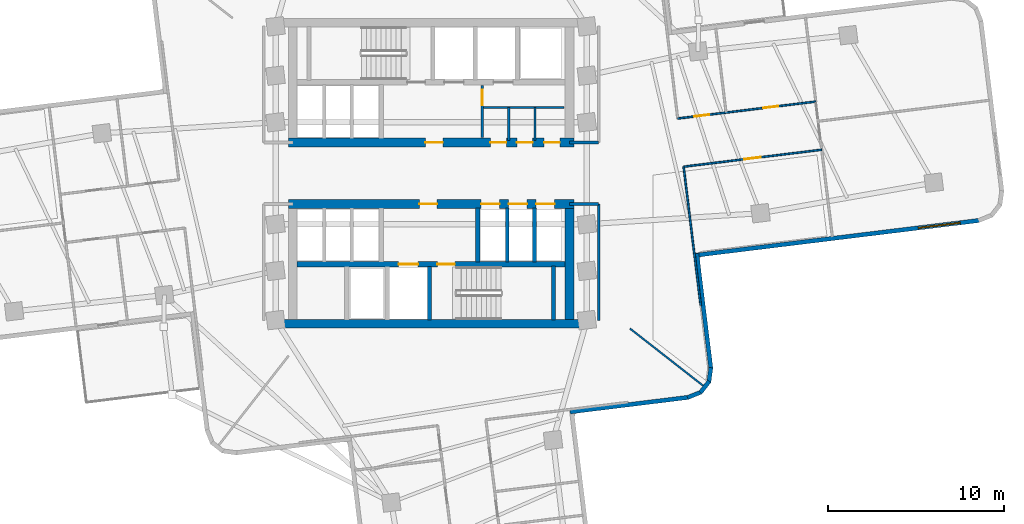
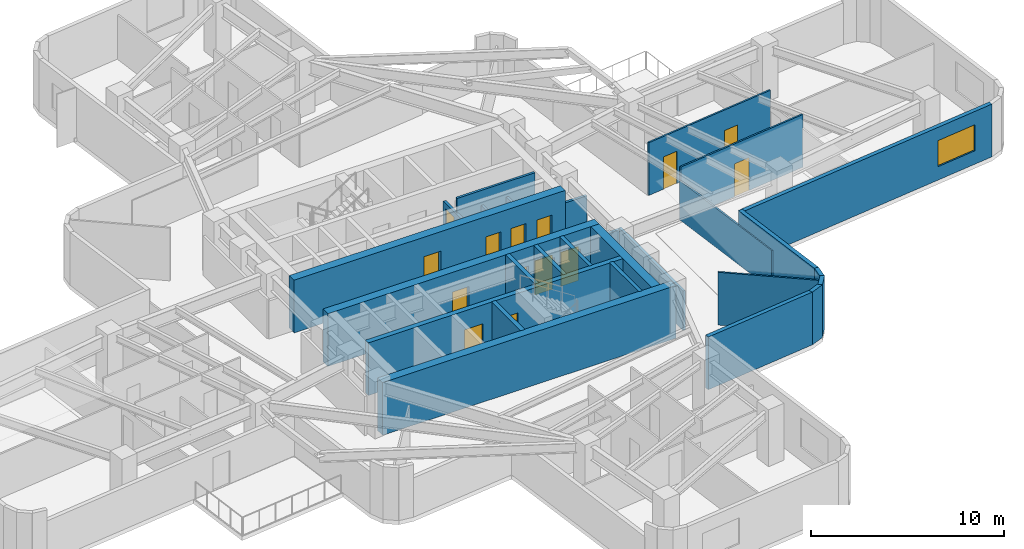
# One storey, part 4 of 9: 27 walls, 14 doors, 1 window, 15 openings.
"""IFC4 building model written with IfcOpenShell, lengths in metres."""

from ifc_helpers import new_model, si_unit, direction, frame, frame_2d, origin, place, context, subcontext, project, spatial, rectangle, extrude, material, layer, layer_set, type_object, element, fill, save


model = new_model("IFC4")

# Units and contexts
model_context = context("Model", 3, precision=1e-05, world=origin(), true_north=direction((0.0, 1.0)))
body_context = subcontext(model_context, "Body", "Model", "MODEL_VIEW")
ifc_project = project(units=[si_unit("LENGTHUNIT", "METRE"), si_unit("AREAUNIT", "SQUARE_METRE"), si_unit("VOLUMEUNIT", "CUBIC_METRE"), si_unit("PLANEANGLEUNIT", "RADIAN"), si_unit("MASSUNIT", "GRAM", prefix="KILO")], contexts=[model_context])

# Site, building, storey
site_placement = place(None, origin())
site = spatial("IfcSite", under=ifc_project, at=site_placement, CompositionType="ELEMENT")
building_placement = place(site_placement, origin())
building = spatial("IfcBuilding", under=site, at=building_placement, Name="Solmarez Civic Tower", CompositionType="ELEMENT")
storey_placement = place(building_placement, frame((0.0, 0.0, 78.47998046875)))
storey = spatial("IfcBuildingStorey", under=building, at=storey_placement, Name="L20", CompositionType="ELEMENT", Elevation=78.47998046875)

# Wall, openings, doors
ifc_material_1 = material(Name="Concrete C60/75", Category="concrete")
ifc_layer_1 = layer(ifc_material_1, 0.5)
ifc_layer_set_1 = layer_set([ifc_layer_1], Name="Concrete C60/75")
wall_type_1 = type_object("IfcWallType", Name="WALL-CORE-500", PredefinedType="SHEAR", material=ifc_layer_set_1)
wall_1_placement = place(storey_placement, frame((8.1201171875, 1.75, 0.0), z_axis=(0.0, 0.0, 1.0), x_axis=(-1.0, 0.0, 0.0)))
wall_1 = element("IfcWall", 1, at=wall_1_placement, inside=storey, type_object=wall_type_1, Name="L20 Split-Core Structural Wall NCW-S-L20", PredefinedType="SHEAR", context=body_context, shape_type="SweptSolid", body=[
    extrude(rectangle(XDim=16.240234375, YDim=0.5, at=frame_2d((8.1201171875, 0.0))), origin(), (0.0, 0.0, 1.0), 3.340087890625),
])
opening_1_placement = place(wall_1_placement, frame((7.449951171875, 0.0, 0.0)))
opening_1 = element("IfcOpeningElement", 2, at=opening_1_placement, cuts=wall_1, Name="Opening D-04", PredefinedType="OPENING", context=body_context, shape_type="SweptSolid", body=[
    extrude(rectangle(XDim=1.0, YDim=2.10009765625, at=frame_2d((0.5, 1.050048828125))), frame((0.0, 0.260009765625, 0.0), z_axis=(0.0, -1.0, 0.0), x_axis=(1.0, 0.0, 0.0)), (0.0, 0.0, 1.0), 0.52001953125),
])
opening_2_placement = place(wall_1_placement, frame((3.85009765625, 0.0, 0.0)))
opening_2 = element("IfcOpeningElement", 3, at=opening_2_placement, cuts=wall_1, Name="Opening D-09", PredefinedType="OPENING", context=body_context, shape_type="SweptSolid", body=[
    extrude(rectangle(XDim=0.89990234375, YDim=2.06005859375, at=frame_2d((0.449951171875, 1.030029296875))), frame((0.0, 0.260009765625, 0.0), z_axis=(0.0, -1.0, 0.0), x_axis=(1.0, 0.0, 0.0)), (0.0, 0.0, 1.0), 0.52001953125),
])
opening_3_placement = place(wall_1_placement, frame((2.35009765625, 0.0, 0.0)))
opening_3 = element("IfcOpeningElement", 4, at=opening_3_placement, cuts=wall_1, Name="Opening D-09", PredefinedType="OPENING", context=body_context, shape_type="SweptSolid", body=[
    extrude(rectangle(XDim=0.89990234375, YDim=2.06005859375, at=frame_2d((0.449951171875, 1.030029296875))), frame((0.0, 0.260009765625, 0.0), z_axis=(0.0, -1.0, 0.0), x_axis=(1.0, 0.0, 0.0)), (0.0, 0.0, 1.0), 0.52001953125),
])
opening_4_placement = place(wall_1_placement, frame((0.800048828125, 0.0, 0.0)))
opening_4 = element("IfcOpeningElement", 5, at=opening_4_placement, cuts=wall_1, Name="Opening D-09", PredefinedType="OPENING", context=body_context, shape_type="SweptSolid", body=[
    extrude(rectangle(XDim=0.89990234375, YDim=2.06005859375, at=frame_2d((0.449951171875, 1.030029296875))), frame((0.0, 0.260009765625, 0.0), z_axis=(0.0, -1.0, 0.0), x_axis=(1.0, 0.0, 0.0)), (0.0, 0.0, 1.0), 0.52001953125),
])
ifc_material_2 = material(Name="Steel-Faced Acoustic Fire Door", Category="steel")
door_type_1 = type_object("IfcDoorType", Name="DOOR-FD60-1000", OperationType="NOTDEFINED", PredefinedType="DOOR", material=ifc_material_2)
door_1_placement = place(opening_1_placement, origin())
door_1 = element("IfcDoor", 6, at=door_1_placement, inside=storey, type_object=door_type_1, Name="L20 North Firefighting Lobby Door", OperationType="SINGLE_SWING_LEFT", OverallHeight=2.10009765625, OverallWidth=1.0, PredefinedType="DOOR", context=body_context, shape_type="SweptSolid", body=[
    extrude(rectangle(XDim=1.0, YDim=2.10009765625, at=frame_2d((0.5, 1.050048828125))), frame((0.0, 0.02490234375, 0.0), z_axis=(0.0, -1.0, 0.0), x_axis=(1.0, 0.0, 0.0)), (0.0, 0.0, 1.0), 0.050048828125),
])
fill(opening_1, door_1)
ifc_material_3 = material(Name="Fire-Rated Service Core Door", Category="wood")
door_type_2 = type_object("IfcDoorType", Name="DOOR-FD60-900", OperationType="NOTDEFINED", PredefinedType="DOOR", material=ifc_material_3)
door_2_placement = place(opening_2_placement, origin())
door_2 = element("IfcDoor", 7, at=door_2_placement, inside=storey, type_object=door_type_2, Name="L20 Core WC Door", OperationType="SINGLE_SWING_RIGHT", OverallHeight=2.06005859375, OverallWidth=0.89990234375, PredefinedType="DOOR", context=body_context, shape_type="SweptSolid", body=[
    extrude(rectangle(XDim=0.89990234375, YDim=2.06005859375, at=frame_2d((0.449951171875, 1.030029296875))), frame((0.0, 0.02490234375, 0.0), z_axis=(0.0, -1.0, 0.0), x_axis=(1.0, 0.0, 0.0)), (0.0, 0.0, 1.0), 0.050048828125),
])
fill(opening_2, door_2)
door_3_placement = place(opening_3_placement, origin())
door_3 = element("IfcDoor", 8, at=door_3_placement, inside=storey, type_object=door_type_2, Name="L20 Core CL Door", OperationType="SINGLE_SWING_LEFT", OverallHeight=2.06005859375, OverallWidth=0.89990234375, PredefinedType="DOOR", context=body_context, shape_type="SweptSolid", body=[
    extrude(rectangle(XDim=0.89990234375, YDim=2.06005859375, at=frame_2d((0.449951171875, 1.030029296875))), frame((0.0, 0.02490234375, 0.0), z_axis=(0.0, -1.0, 0.0), x_axis=(1.0, 0.0, 0.0)), (0.0, 0.0, 1.0), 0.050048828125),
])
fill(opening_3, door_3)
door_4_placement = place(opening_4_placement, origin())
door_4 = element("IfcDoor", 9, at=door_4_placement, inside=storey, type_object=door_type_2, Name="L20 Core IT Door", OperationType="SINGLE_SWING_LEFT", OverallHeight=2.06005859375, OverallWidth=0.89990234375, PredefinedType="DOOR", context=body_context, shape_type="SweptSolid", body=[
    extrude(rectangle(XDim=0.89990234375, YDim=2.06005859375, at=frame_2d((0.449951171875, 1.030029296875))), frame((0.0, 0.02490234375, 0.0), z_axis=(0.0, -1.0, 0.0), x_axis=(1.0, 0.0, 0.0)), (0.0, 0.0, 1.0), 0.050048828125),
])
fill(opening_4, door_4)

# Wall
wall_2_placement = place(storey_placement, frame((8.780029296875, -8.56005859375, 0.0), z_axis=(0.0, 0.0, 1.0), x_axis=(-1.0, 0.0, 0.0)))
element("IfcWall", 10, at=wall_2_placement, inside=storey, type_object=wall_type_1, Name="L20 Split-Core Structural Wall SCW-S-L20", PredefinedType="SHEAR", context=body_context, shape_type="SweptSolid", body=[
    extrude(rectangle(XDim=17.56005859375, YDim=0.5, at=frame_2d((8.780029296875, 0.0))), origin(), (0.0, 0.0, 1.0), 3.340087890625),
])

# Wall, openings, doors
wall_3_placement = place(storey_placement, frame((-8.1201171875, -1.75, 0.0), z_axis=(0.0, 0.0, 1.0), x_axis=(1.0, 0.0, 0.0)))
wall_3 = element("IfcWall", 11, at=wall_3_placement, inside=storey, type_object=wall_type_1, Name="L20 Split-Core Structural Wall SCW-N-L20", PredefinedType="SHEAR", context=body_context, shape_type="SweptSolid", body=[
    extrude(rectangle(XDim=16.240234375, YDim=0.5, at=frame_2d((8.1201171875, 0.0))), origin(), (0.0, 0.0, 1.0), 3.340087890625),
])
opening_5_placement = place(wall_3_placement, frame((7.449951171875, 0.0, 0.0)))
opening_5 = element("IfcOpeningElement", 12, at=opening_5_placement, cuts=wall_3, Name="Opening D-04", PredefinedType="OPENING", context=body_context, shape_type="SweptSolid", body=[
    extrude(rectangle(XDim=1.0, YDim=2.10009765625, at=frame_2d((0.5, 1.050048828125))), frame((0.0, 0.260009765625, 0.0), z_axis=(0.0, -1.0, 0.0), x_axis=(1.0, 0.0, 0.0)), (0.0, 0.0, 1.0), 0.52001953125),
])
opening_6_placement = place(wall_3_placement, frame((10.965087890625, 0.0, 0.0)))
opening_6 = element("IfcOpeningElement", 13, at=opening_6_placement, cuts=wall_3, Name="Opening LD-01", PredefinedType="OPENING", context=body_context, shape_type="SweptSolid", body=[
    extrude(rectangle(XDim=1.050048828125, YDim=2.14990234375, at=frame_2d((0.52490234375, 1.074951171875))), frame((0.0, 0.260009765625, 0.0), z_axis=(0.0, -1.0, 0.0), x_axis=(1.0, 0.0, 0.0)), (0.0, 0.0, 1.0), 0.52001953125),
])
opening_7_placement = place(wall_3_placement, frame((12.52490234375, 0.0, 0.0)))
opening_7 = element("IfcOpeningElement", 14, at=opening_7_placement, cuts=wall_3, Name="Opening LD-01", PredefinedType="OPENING", context=body_context, shape_type="SweptSolid", body=[
    extrude(rectangle(XDim=1.050048828125, YDim=2.14990234375, at=frame_2d((0.52490234375, 1.074951171875))), frame((0.0, 0.260009765625, 0.0), z_axis=(0.0, -1.0, 0.0), x_axis=(1.0, 0.0, 0.0)), (0.0, 0.0, 1.0), 0.52001953125),
])
opening_8_placement = place(wall_3_placement, frame((14.0849609375, 0.0, 0.0)))
opening_8 = element("IfcOpeningElement", 15, at=opening_8_placement, cuts=wall_3, Name="Opening LD-01", PredefinedType="OPENING", context=body_context, shape_type="SweptSolid", body=[
    extrude(rectangle(XDim=1.050048828125, YDim=2.14990234375, at=frame_2d((0.52490234375, 1.074951171875))), frame((0.0, 0.260009765625, 0.0), z_axis=(0.0, -1.0, 0.0), x_axis=(1.0, 0.0, 0.0)), (0.0, 0.0, 1.0), 0.52001953125),
])
door_5_placement = place(opening_5_placement, origin())
door_5 = element("IfcDoor", 16, at=door_5_placement, inside=storey, type_object=door_type_1, Name="L20 South Firefighting Lobby Door", OperationType="SINGLE_SWING_RIGHT", OverallHeight=2.10009765625, OverallWidth=1.0, PredefinedType="DOOR", context=body_context, shape_type="SweptSolid", body=[
    extrude(rectangle(XDim=1.0, YDim=2.10009765625, at=frame_2d((0.5, 1.050048828125))), frame((0.0, 0.02490234375, 0.0), z_axis=(0.0, -1.0, 0.0), x_axis=(1.0, 0.0, 0.0)), (0.0, 0.0, 1.0), 0.050048828125),
])
fill(opening_5, door_5)
ifc_material_4 = material(Name="Bronze Passenger Lift Landing Sliding Door", Category="aluminium")
door_type_3 = type_object("IfcDoorType", Name="DOOR-LD-PAX-1050", OperationType="DOUBLE_DOOR_SLIDING", PredefinedType="DOOR", material=ifc_material_4)
door_6_placement = place(opening_6_placement, origin())
door_6 = element("IfcDoor", 17, at=door_6_placement, inside=storey, type_object=door_type_3, Name="L20 Low-Rise Lift Landing Door PL-L1", OperationType="DOUBLE_DOOR_SLIDING", OverallHeight=2.14990234375, OverallWidth=1.050048828125, PredefinedType="DOOR", context=body_context, shape_type="SweptSolid", body=[
    extrude(rectangle(XDim=1.050048828125, YDim=2.14990234375, at=frame_2d((0.52490234375, 1.074951171875))), frame((0.0, 0.02490234375, 0.0), z_axis=(0.0, -1.0, 0.0), x_axis=(1.0, 0.0, 0.0)), (0.0, 0.0, 1.0), 0.050048828125),
])
fill(opening_6, door_6)
door_7_placement = place(opening_7_placement, origin())
door_7 = element("IfcDoor", 18, at=door_7_placement, inside=storey, type_object=door_type_3, Name="L20 Low-Rise Lift Landing Door PL-L2", OperationType="DOUBLE_DOOR_SLIDING", OverallHeight=2.14990234375, OverallWidth=1.050048828125, PredefinedType="DOOR", context=body_context, shape_type="SweptSolid", body=[
    extrude(rectangle(XDim=1.050048828125, YDim=2.14990234375, at=frame_2d((0.52490234375, 1.074951171875))), frame((0.0, 0.02490234375, 0.0), z_axis=(0.0, -1.0, 0.0), x_axis=(1.0, 0.0, 0.0)), (0.0, 0.0, 1.0), 0.050048828125),
])
fill(opening_7, door_7)
door_8_placement = place(opening_8_placement, origin())
door_8 = element("IfcDoor", 19, at=door_8_placement, inside=storey, type_object=door_type_3, Name="L20 Low-Rise Lift Landing Door PL-L3", OperationType="DOUBLE_DOOR_SLIDING", OverallHeight=2.14990234375, OverallWidth=1.050048828125, PredefinedType="DOOR", context=body_context, shape_type="SweptSolid", body=[
    extrude(rectangle(XDim=1.050048828125, YDim=2.14990234375, at=frame_2d((0.52490234375, 1.074951171875))), frame((0.0, 0.02490234375, 0.0), z_axis=(0.0, -1.0, 0.0), x_axis=(1.0, 0.0, 0.0)), (0.0, 0.0, 1.0), 0.050048828125),
])
fill(opening_8, door_8)

# Wall
wall_4_placement = place(storey_placement, frame((7.8701171875, -2.0, 0.0), z_axis=(0.0, 0.0, 1.0), x_axis=(0.0, -1.0, 0.0)))
element("IfcWall", 20, at=wall_4_placement, inside=storey, type_object=wall_type_1, Name="L20 Split-Core Structural Wall SCW-E-L20", PredefinedType="SHEAR", context=body_context, shape_type="SweptSolid", body=[
    extrude(rectangle(XDim=6.31005859375, YDim=0.5, at=frame_2d((3.155029296875, 0.0))), origin(), (0.0, 0.0, 1.0), 3.340087890625),
])

# Wall, opening, window
ifc_material_5 = material(Name="Precast concrete C40/50", Category="concrete")
ifc_layer_2 = layer(ifc_material_5, 0.239990234375)
ifc_layer_set_2 = layer_set([ifc_layer_2], Name="Precast concrete C40/50")
wall_type_2 = type_object("IfcWallType", Name="WALL-EXT-240", PredefinedType="SOLIDWALL", material=ifc_layer_set_2)
wall_5_placement = place(storey_placement, frame((31.1689453125, -2.681884765625, 0.0), z_axis=(0.0, 0.0, 1.0), x_axis=(-0.992548484973, -0.121850338438, 0.0)))
wall_5 = element("IfcWall", 21, at=wall_5_placement, inside=storey, type_object=wall_type_2, Name="L20 Exterior Precast Wall 46", PredefinedType="SOLIDWALL", context=body_context, shape_type="SweptSolid", body=[
    extrude(rectangle(XDim=16.275390625, YDim=0.239990234375, at=frame_2d((8.1376953125, 0.0))), origin(), (0.0, 0.0, 1.0), 3.340087890625),
])
opening_9_placement = place(wall_5_placement, frame((1.10009765625, 0.0, 0.85009765625)))
opening_9 = element("IfcOpeningElement", 22, at=opening_9_placement, cuts=wall_5, Name="Opening W-10", PredefinedType="OPENING", context=body_context, shape_type="SweptSolid", body=[
    extrude(rectangle(XDim=2.39990234375, YDim=1.64990234375, at=frame_2d((1.199951171875, 0.824951171875))), frame((0.0, 0.1298828125, 0.0), z_axis=(0.0, -1.0, 0.0), x_axis=(1.0, 0.0, 0.0)), (0.0, 0.0, 1.0), 0.260009765625),
])
ifc_material_6 = material(Name="Solar Control Bronze-Tinted Insulating Glass", Category="glass")
window_type = type_object("IfcWindowType", Name="WIN-2400X1650", PartitioningType="SINGLE_PANEL", PredefinedType="WINDOW", material=ifc_material_6)
window_placement = place(opening_9_placement, origin())
window = element("IfcWindow", 23, at=window_placement, inside=storey, type_object=window_type, Name="L20 Exterior Facade Window 46", OverallHeight=1.64990234375, OverallWidth=2.39990234375, PartitioningType="SINGLE_PANEL", PredefinedType="WINDOW", context=body_context, shape_type="SweptSolid", body=[
    extrude(rectangle(XDim=2.39990234375, YDim=1.64990234375, at=frame_2d((1.199951171875, 0.824951171875))), frame((0.0, 0.030029296875, 0.0), z_axis=(0.0, -1.0, 0.0), x_axis=(1.0, 0.0, 0.0)), (0.0, 0.0, 1.0), 0.06005859375),
])
fill(opening_9, window)

# Walls
wall_6_placement = place(storey_placement, frame((15.097900390625, -4.55810546875, 0.0), z_axis=(0.0, 0.0, 1.0), x_axis=(0.121938646341, -0.992537639855, 0.0)))
element("IfcWall", 24, at=wall_6_placement, inside=storey, type_object=wall_type_2, Name="L20 Exterior Precast Wall 49", PredefinedType="SOLIDWALL", context=body_context, shape_type="SweptSolid", body=[
    extrude(rectangle(XDim=6.59521484375, YDim=0.239990234375, at=frame_2d((3.297607421875, 0.0))), origin(), (0.0, 0.0, 1.0), 3.340087890625),
])
wall_7_placement = place(storey_placement, frame((15.902099609375, -11.053955078125, 0.0), z_axis=(0.0, 0.0, 1.0), x_axis=(-0.138376981782, -0.990379629694, 0.0)))
element("IfcWall", 25, at=wall_7_placement, inside=storey, type_object=wall_type_2, Name="L20 Exterior Precast Wall 50", PredefinedType="SOLIDWALL", context=body_context, shape_type="SweptSolid", body=[
    extrude(rectangle(XDim=0.8310546875, YDim=0.239990234375, at=frame_2d((0.41552734375, 0.0))), origin(), (0.0, 0.0, 1.0), 3.340087890625),
])
wall_8_placement = place(storey_placement, frame((15.804931640625, -11.83203125, 0.0), z_axis=(0.0, 0.0, 1.0), x_axis=(-0.614397431824, -0.788996702001, 0.0)))
element("IfcWall", 26, at=wall_8_placement, inside=storey, type_object=wall_type_2, Name="L20 Exterior Precast Wall 51", PredefinedType="SOLIDWALL", context=body_context, shape_type="SweptSolid", body=[
    extrude(rectangle(XDim=0.813720703125, YDim=0.239990234375, at=frame_2d((0.40673828125, 0.0))), origin(), (0.0, 0.0, 1.0), 3.340087890625),
])
wall_9_placement = place(storey_placement, frame((15.343017578125, -12.445068359375, 0.0), z_axis=(0.0, 0.0, 1.0), x_axis=(-0.927724225254, -0.37326634174, 0.0)))
element("IfcWall", 27, at=wall_9_placement, inside=storey, type_object=wall_type_2, Name="L20 Exterior Precast Wall 52", PredefinedType="SOLIDWALL", context=body_context, shape_type="SweptSolid", body=[
    extrude(rectangle(XDim=0.830078125, YDim=0.239990234375, at=frame_2d((0.4150390625, 0.0))), origin(), (0.0, 0.0, 1.0), 3.340087890625),
])
wall_10_placement = place(storey_placement, frame((14.62109375, -12.742919921875, 0.0), z_axis=(0.0, 0.0, 1.0), x_axis=(-0.992536263595, -0.121949848087, 0.0)))
element("IfcWall", 28, at=wall_10_placement, inside=storey, type_object=wall_type_2, Name="L20 Exterior Precast Wall 53", PredefinedType="SOLIDWALL", context=body_context, shape_type="SweptSolid", body=[
    extrude(rectangle(XDim=6.774658203125, YDim=0.239990234375, at=frame_2d((3.38720703125, 0.0))), origin(), (0.0, 0.0, 1.0), 3.340087890625),
])
ifc_material_7 = material(Name="Gypsum Board Acoustic Steel-Stud Partition", Category="steel")
ifc_layer_3 = layer(ifc_material_7, 0.14990234375)
ifc_layer_set_3 = layer_set([ifc_layer_3], Name="Gypsum Board Acoustic Steel-Stud Partition")
wall_type_3 = type_object("IfcWallType", Name="WALL-INT-FIRE-150", PredefinedType="PARTITIONING", material=ifc_layer_set_3)
wall_11_placement = place(storey_placement, frame((7.85009765625, 1.75, 0.0), z_axis=(0.0, 0.0, 1.0), x_axis=(1.0, 0.0, 0.0)))
element("IfcWall", 29, at=wall_11_placement, inside=storey, type_object=wall_type_3, Name="L20 Interior Partition CHW-L20-EN3", PredefinedType="PARTITIONING", context=body_context, shape_type="SweptSolid", body=[
    extrude(rectangle(XDim=1.669921875, YDim=0.14990234375, at=frame_2d((0.8349609375, 0.0))), origin(), (0.0, 0.0, 1.0), 2.405029296875),
])
wall_12_placement = place(storey_placement, frame((9.52001953125, -8.3798828125, 0.0), z_axis=(0.0, 0.0, 1.0), x_axis=(0.0, 1.0, 0.0)))
element("IfcWall", 30, at=wall_12_placement, inside=storey, type_object=wall_type_3, Name="L20 Interior Partition CHW-L20-ES1", PredefinedType="PARTITIONING", context=body_context, shape_type="SweptSolid", body=[
    extrude(rectangle(XDim=6.6298828125, YDim=0.14990234375, at=frame_2d((3.31494140625, 0.0))), origin(), (0.0, 0.0, 1.0), 2.486083984375),
])
wall_13_placement = place(storey_placement, frame((7.85009765625, -1.75, 0.0), z_axis=(0.0, 0.0, 1.0), x_axis=(1.0, 0.0, 0.0)))
element("IfcWall", 31, at=wall_13_placement, inside=storey, type_object=wall_type_3, Name="L20 Interior Partition CHW-L20-ES3", PredefinedType="PARTITIONING", context=body_context, shape_type="SweptSolid", body=[
    extrude(rectangle(XDim=1.669921875, YDim=0.14990234375, at=frame_2d((0.8349609375, 0.0))), origin(), (0.0, 0.0, 1.0), 2.405029296875),
])
ifc_layer_4 = layer(ifc_material_7, 0.10009765625)
ifc_layer_set_4 = layer_set([ifc_layer_4], Name="Gypsum Board Acoustic Steel-Stud Partition")
wall_type_4 = type_object("IfcWallType", Name="WALL-INT-PART-100", PredefinedType="PARTITIONING", material=ifc_layer_set_4)
wall_14_placement = place(storey_placement, frame((11.300048828125, -8.8291015625, 0.0), z_axis=(0.0, 0.0, 1.0), x_axis=(0.788014623364, -0.61565652223, 0.0)))
element("IfcWall", 32, at=wall_14_placement, inside=storey, type_object=wall_type_4, Name="L20 Interior Partition PT-L20-QDIV-4", PredefinedType="PARTITIONING", context=body_context, shape_type="SweptSolid", body=[
    extrude(rectangle(XDim=5.314697265625, YDim=0.10009765625, at=frame_2d((2.6572265625, 0.0))), origin(), (0.0, 0.0, 1.0), 3.340087890625),
])
wall_15_placement = place(storey_placement, frame((15.320068359375, -7.509033203125, 0.0), z_axis=(0.0, 0.0, 1.0), x_axis=(-0.122001160868, 0.992529957607, 0.0)))
element("IfcWall", 33, at=wall_15_placement, inside=storey, type_object=wall_type_4, Name="L20 Interior Partition PT-L20-E-EFR", PredefinedType="PARTITIONING", context=body_context, shape_type="SweptSolid", body=[
    extrude(rectangle(XDim=7.950439453125, YDim=0.10009765625, at=frame_2d((3.97509765625, 0.0))), origin(), (0.0, 0.0, 1.0), 2.486083984375),
])

# Wall, openings, doors
wall_16_placement = place(storey_placement, frame((21.865966796875, 4.074951171875, 0.0), z_axis=(0.0, 0.0, 1.0), x_axis=(-0.992548040298, -0.121853960542, 0.0)))
wall_16 = element("IfcWall", 34, at=wall_16_placement, inside=storey, type_object=wall_type_4, Name="L20 Interior Partition PT-L20-E-SL", PredefinedType="PARTITIONING", context=body_context, shape_type="SweptSolid", body=[
    extrude(rectangle(XDim=7.909912109375, YDim=0.10009765625, at=frame_2d((3.955078125, 0.0))), origin(), (0.0, 0.0, 1.0), 3.340087890625),
])
opening_10_placement = place(wall_16_placement, frame((6.094970703125, 0.0, 0.0)))
opening_10 = element("IfcOpeningElement", 35, at=opening_10_placement, cuts=wall_16, Name="Opening D-14", PredefinedType="OPENING", context=body_context, shape_type="SweptSolid", body=[
    extrude(rectangle(XDim=0.860107421875, YDim=2.0400390625, at=frame_2d((0.43017578125, 1.02001953125))), frame((0.0, 0.06005859375, 0.0), z_axis=(0.0, -1.0, 0.0), x_axis=(1.0, 0.0, 0.0)), (0.0, 0.0, 1.0), 0.1201171875),
])
opening_11_placement = place(wall_16_placement, frame((2.139892578125, 0.0, 0.0)))
opening_11 = element("IfcOpeningElement", 36, at=opening_11_placement, cuts=wall_16, Name="Opening D-14", PredefinedType="OPENING", context=body_context, shape_type="SweptSolid", body=[
    extrude(rectangle(XDim=0.860107421875, YDim=2.0400390625, at=frame_2d((0.43017578125, 1.02001953125))), frame((0.0, 0.06005859375, 0.0), z_axis=(0.0, -1.0, 0.0), x_axis=(1.0, 0.0, 0.0)), (0.0, 0.0, 1.0), 0.1201171875),
])
ifc_material_8 = material(Name="Timber Storage and Pantry Door", Category="wood")
door_type_4 = type_object("IfcDoorType", Name="DOOR-INT-850", OperationType="NOTDEFINED", PredefinedType="DOOR", material=ifc_material_8)
door_9_placement = place(opening_10_placement, origin())
door_9 = element("IfcDoor", 37, at=door_9_placement, inside=storey, type_object=door_type_4, Name="L20 Wellness Fitness Room First East Door", OperationType="SINGLE_SWING_LEFT", OverallHeight=2.0400390625, OverallWidth=0.860107421875, PredefinedType="DOOR", context=body_context, shape_type="SweptSolid", body=[
    extrude(rectangle(XDim=0.860107421875, YDim=2.0400390625, at=frame_2d((0.43017578125, 1.02001953125))), frame((0.0, 0.02490234375, 0.0), z_axis=(0.0, -1.0, 0.0), x_axis=(1.0, 0.0, 0.0)), (0.0, 0.0, 1.0), 0.050048828125),
])
fill(opening_10, door_9)
door_10_placement = place(opening_11_placement, origin())
door_10 = element("IfcDoor", 38, at=door_10_placement, inside=storey, type_object=door_type_4, Name="L20 Citizen Legal Clinic Second East Door", OperationType="SINGLE_SWING_RIGHT", OverallHeight=2.0400390625, OverallWidth=0.860107421875, PredefinedType="DOOR", context=body_context, shape_type="SweptSolid", body=[
    extrude(rectangle(XDim=0.860107421875, YDim=2.0400390625, at=frame_2d((0.43017578125, 1.02001953125))), frame((0.0, 0.02490234375, 0.0), z_axis=(0.0, -1.0, 0.0), x_axis=(1.0, 0.0, 0.0)), (0.0, 0.0, 1.0), 0.050048828125),
])
fill(opening_11, door_10)

# Wall, opening, door
wall_17_placement = place(storey_placement, frame((14.35205078125, 0.3720703125, 0.0), z_axis=(0.0, 0.0, 1.0), x_axis=(0.992547581986, 0.121857693618, 0.0)))
wall_17 = element("IfcWall", 39, at=wall_17_placement, inside=storey, type_object=wall_type_4, Name="L20 Interior Partition PT-L20-E-SR", PredefinedType="PARTITIONING", context=body_context, shape_type="SweptSolid", body=[
    extrude(rectangle(XDim=7.90966796875, YDim=0.10009765625, at=frame_2d((3.954833984375, 0.0))), origin(), (0.0, 0.0, 1.0), 3.340087890625),
])
opening_12_placement = place(wall_17_placement, frame((3.47509765625, 0.0, 0.0)))
opening_12 = element("IfcOpeningElement", 40, at=opening_12_placement, cuts=wall_17, Name="Opening D-10", PredefinedType="OPENING", context=body_context, shape_type="SweptSolid", body=[
    extrude(rectangle(XDim=0.949951171875, YDim=2.080078125, at=frame_2d((0.47509765625, 1.0400390625))), frame((0.0, 0.06005859375, 0.0), z_axis=(0.0, -1.0, 0.0), x_axis=(1.0, 0.0, 0.0)), (0.0, 0.0, 1.0), 0.1201171875),
])
ifc_material_9 = material(Name="Solid-Core Timber Ministry Office Door", Category="wood")
door_type_5 = type_object("IfcDoorType", Name="DOOR-INT-950", OperationType="NOTDEFINED", PredefinedType="DOOR", material=ifc_material_9)
door_11_placement = place(opening_12_placement, origin())
door_11 = element("IfcDoor", 41, at=door_11_placement, inside=storey, type_object=door_type_5, Name="L20 Public Reading Room Third East Door", OperationType="SINGLE_SWING_RIGHT", OverallHeight=2.080078125, OverallWidth=0.949951171875, PredefinedType="DOOR", context=body_context, shape_type="SweptSolid", body=[
    extrude(rectangle(XDim=0.949951171875, YDim=2.080078125, at=frame_2d((0.47509765625, 1.0400390625))), frame((0.0, 0.02490234375, 0.0), z_axis=(0.0, -1.0, 0.0), x_axis=(1.0, 0.0, 0.0)), (0.0, 0.0, 1.0), 0.050048828125),
])
fill(opening_12, door_11)

ifc_layer_5 = layer(ifc_material_7, 0.159912109375)
ifc_layer_set_5 = layer_set([ifc_layer_5], Name="Gypsum Board Acoustic Steel-Stud Partition")
wall_type_5 = type_object("IfcWallType", Name="WALL-INT-SHAFT-160", PredefinedType="PARTITIONING", material=ifc_layer_set_5)
wall_18_placement = place(storey_placement, frame((2.89990234375, 2.0400390625, 0.0), z_axis=(0.0, 0.0, 1.0), x_axis=(0.0, 1.0, 0.0)))
wall_18 = element("IfcWall", 42, at=wall_18_placement, inside=storey, type_object=wall_type_5, Name="L20 Interior Partition SHW-NL2-L20", PredefinedType="PARTITIONING", context=body_context, shape_type="SweptSolid", body=[
    extrude(rectangle(XDim=2.93994140625, YDim=0.159912109375, at=frame_2d((1.469970703125, 0.0))), origin(), (0.0, 0.0, 1.0), 2.405029296875),
])
opening_13_placement = place(wall_18_placement, frame((1.820068359375, 0.0, 0.0)))
opening_13 = element("IfcOpeningElement", 43, at=opening_13_placement, cuts=wall_18, Name="Opening D-09", PredefinedType="OPENING", context=body_context, shape_type="SweptSolid", body=[
    extrude(rectangle(XDim=0.89990234375, YDim=2.06005859375, at=frame_2d((0.449951171875, 1.030029296875))), frame((0.0, 0.08984375, 0.0), z_axis=(0.0, -1.0, 0.0), x_axis=(1.0, 0.0, 0.0)), (0.0, 0.0, 1.0), 0.179931640625),
])
door_12_placement = place(opening_13_placement, origin())
door_12 = element("IfcDoor", 44, at=door_12_placement, inside=storey, type_object=door_type_2, Name="L20 Service Lift Lobby Door", OperationType="SINGLE_SWING_LEFT", OverallHeight=2.06005859375, OverallWidth=0.89990234375, PredefinedType="DOOR", context=body_context, shape_type="SweptSolid", body=[
    extrude(rectangle(XDim=0.89990234375, YDim=2.06005859375, at=frame_2d((0.449951171875, 1.030029296875))), frame((0.0, 0.02490234375, 0.0), z_axis=(0.0, -1.0, 0.0), x_axis=(1.0, 0.0, 0.0)), (0.0, 0.0, 1.0), 0.050048828125),
])
fill(opening_13, door_12)

# Walls
ifc_layer_6 = layer(ifc_material_7, 0.137939453125)
ifc_layer_set_6 = layer_set([ifc_layer_6], Name="Gypsum Board Acoustic Steel-Stud Partition")
wall_type_6 = type_object("IfcWallType", Name="WALL-INT-WET-140", PredefinedType="PARTITIONING", material=ifc_layer_set_6)
wall_19_placement = place(storey_placement, frame((2.89990234375, 3.739990234375, 0.0), z_axis=(0.0, 0.0, 1.0), x_axis=(1.0, 0.0, 0.0)))
element("IfcWall", 45, at=wall_19_placement, inside=storey, type_object=wall_type_6, Name="L20 Interior Partition SHW-SVH-L20", PredefinedType="PARTITIONING", context=body_context, shape_type="SweptSolid", body=[
    extrude(rectangle(XDim=4.650146484375, YDim=0.137939453125, at=frame_2d((2.3251953125, 0.0))), origin(), (0.0, 0.0, 1.0), 3.340087890625),
])
for number, where, z_axis, x_axis, name in (
    (46, (4.39990234375, 1.85009765625, 0.0), (0.0, 0.0, 1.0), (0.0, 1.0, 0.0), "L20 Interior Partition PT-NCSV1-L20"),
    (47, (5.89990234375, 1.85009765625, 0.0), (0.0, 0.0, 1.0), (0.0, 1.0, 0.0), "L20 Interior Partition PT-NCSV2-L20"),
):
    element("IfcWall", number, at=place(storey_placement, frame(where, z_axis=z_axis, x_axis=x_axis)), inside=storey, type_object=wall_type_6, Name=name, PredefinedType="PARTITIONING", context=body_context, shape_type="SweptSolid", body=[
        extrude(rectangle(XDim=1.889892578125, YDim=0.137939453125, at=frame_2d((0.94482421875, 0.0))), origin(), (0.0, 0.0, 1.0), 2.405029296875),
    ])

# Wall, openings, doors
ifc_material_10 = material(Name="Concrete C50/60", Category="concrete")
ifc_layer_7 = layer(ifc_material_10, 0.300048828125)
ifc_layer_set_7 = layer_set([ifc_layer_7], Name="Concrete C50/60")
wall_type_7 = type_object("IfcWallType", Name="WALL-STR-300", PredefinedType="SOLIDWALL", material=ifc_layer_set_7)
wall_20_placement = place(storey_placement, frame((-7.6201171875, -5.179931640625, 0.0), z_axis=(0.0, 0.0, 1.0), x_axis=(1.0, 0.0, 0.0)))
wall_20 = element("IfcWall", 48, at=wall_20_placement, inside=storey, type_object=wall_type_7, Name="L20 Split-Core Structural Wall SCW-M-L20", PredefinedType="SOLIDWALL", context=body_context, shape_type="SweptSolid", body=[
    extrude(rectangle(XDim=15.240234375, YDim=0.300048828125, at=frame_2d((7.6201171875, 0.0))), origin(), (0.0, 0.0, 1.0), 3.340087890625),
])
opening_14_placement = place(wall_20_placement, frame((5.77001953125, 0.0, 0.0)))
opening_14 = element("IfcOpeningElement", 49, at=opening_14_placement, cuts=wall_20, Name="Opening LD-02", PredefinedType="OPENING", context=body_context, shape_type="SweptSolid", body=[
    extrude(rectangle(XDim=1.10009765625, YDim=2.14990234375, at=frame_2d((0.550048828125, 1.074951171875))), frame((0.0, 0.159912109375, 0.0), z_axis=(0.0, -1.0, 0.0), x_axis=(1.0, 0.0, 0.0)), (0.0, 0.0, 1.0), 0.320068359375),
])
opening_15_placement = place(wall_20_placement, frame((7.969970703125, 0.0, 0.0)))
opening_15 = element("IfcOpeningElement", 50, at=opening_15_placement, cuts=wall_20, Name="Opening D-05", PredefinedType="OPENING", context=body_context, shape_type="SweptSolid", body=[
    extrude(rectangle(XDim=1.0, YDim=2.10009765625, at=frame_2d((0.5, 1.050048828125))), frame((0.0, 0.159912109375, 0.0), z_axis=(0.0, -1.0, 0.0), x_axis=(1.0, 0.0, 0.0)), (0.0, 0.0, 1.0), 0.320068359375),
])
ifc_material_11 = material(Name="Fire-Rated Stairwell Exit Door", Category="wood")
door_type_6 = type_object("IfcDoorType", Name="DOOR-FD90-1000", OperationType="NOTDEFINED", PredefinedType="DOOR", material=ifc_material_11)
door_13_placement = place(opening_15_placement, origin())
door_13 = element("IfcDoor", 51, at=door_13_placement, inside=storey, type_object=door_type_6, Name="L20 South Exit Stair Door ST-2", OperationType="SINGLE_SWING_RIGHT", OverallHeight=2.10009765625, OverallWidth=1.0, PredefinedType="DOOR", context=body_context, shape_type="SweptSolid", body=[
    extrude(rectangle(XDim=1.0, YDim=2.10009765625, at=frame_2d((0.5, 1.050048828125))), frame((0.0, 0.02490234375, 0.0), z_axis=(0.0, -1.0, 0.0), x_axis=(1.0, 0.0, 0.0)), (0.0, 0.0, 1.0), 0.050048828125),
])
fill(opening_15, door_13)
ifc_material_12 = material(Name="Stainless Firefighting Lift Landing Sliding Door", Category="aluminium")
door_type_7 = type_object("IfcDoorType", Name="DOOR-LD-FF-1100", OperationType="DOUBLE_DOOR_SLIDING", PredefinedType="DOOR", material=ifc_material_12)
door_14_placement = place(opening_14_placement, origin())
door_14 = element("IfcDoor", 52, at=door_14_placement, inside=storey, type_object=door_type_7, Name="L20 Firefighting Lift Landing Door FFL-2", OperationType="DOUBLE_DOOR_SLIDING", OverallHeight=2.14990234375, OverallWidth=1.10009765625, PredefinedType="DOOR", context=body_context, shape_type="SweptSolid", body=[
    extrude(rectangle(XDim=1.10009765625, YDim=2.14990234375, at=frame_2d((0.550048828125, 1.074951171875))), frame((0.0, 0.02490234375, 0.0), z_axis=(0.0, -1.0, 0.0), x_axis=(1.0, 0.0, 0.0)), (0.0, 0.0, 1.0), 0.050048828125),
])
fill(opening_14, door_14)

# Walls
wall_21_placement = place(storey_placement, frame((6.949951171875, -8.340087890625, 0.0), z_axis=(0.0, 0.0, 1.0), x_axis=(0.0, 1.0, 0.0)))
element("IfcWall", 53, at=wall_21_placement, inside=storey, type_object=wall_type_7, Name="L20 Split-Core Structural Wall SHW-SE-L20", PredefinedType="SOLIDWALL", context=body_context, shape_type="SweptSolid", body=[
    extrude(rectangle(XDim=3.06005859375, YDim=0.219970703125, at=frame_2d((1.530029296875, 0.0))), origin(), (0.0, 0.0, 1.0), 3.340087890625),
])
wall_22_placement = place(storey_placement, frame((-0.10009765625, -8.340087890625, 0.0), z_axis=(0.0, 0.0, 1.0), x_axis=(0.0, 1.0, 0.0)))
element("IfcWall", 54, at=wall_22_placement, inside=storey, type_object=wall_type_7, Name="L20 Split-Core Structural Wall SHW-S1-L20", PredefinedType="SOLIDWALL", context=body_context, shape_type="SweptSolid", body=[
    extrude(rectangle(XDim=3.0400390625, YDim=0.25, at=frame_2d((1.52001953125, 0.0))), origin(), (0.0, 0.0, 1.0), 3.340087890625),
])
wall_23_placement = place(storey_placement, frame((2.64990234375, -5.050048828125, 0.0), z_axis=(0.0, 0.0, 1.0), x_axis=(0.0, 1.0, 0.0)))
element("IfcWall", 55, at=wall_23_placement, inside=storey, type_object=wall_type_7, Name="L20 Split-Core Structural Wall SHW-SL2-L20", PredefinedType="SOLIDWALL", context=body_context, shape_type="SweptSolid", body=[
    extrude(rectangle(XDim=3.070068359375, YDim=0.25, at=frame_2d((1.53515625, 0.0))), origin(), (0.0, 0.0, 1.0), 3.340087890625),
])
for number, where, z_axis, x_axis, name in (
    (56, (4.320068359375, -5.050048828125, 0.0), (0.0, 0.0, 1.0), (0.0, 1.0, 0.0), "L20 Split-Core Structural Wall SHW-PLL-L20-1"),
    (57, (5.8798828125, -5.050048828125, 0.0), (0.0, 0.0, 1.0), (0.0, 1.0, 0.0), "L20 Split-Core Structural Wall SHW-PLL-L20-2"),
):
    element("IfcWall", number, at=place(storey_placement, frame(where, z_axis=z_axis, x_axis=x_axis)), inside=storey, type_object=wall_type_7, Name=name, PredefinedType="SOLIDWALL", context=body_context, shape_type="SweptSolid", body=[
        extrude(rectangle(XDim=3.070068359375, YDim=0.219970703125, at=frame_2d((1.53515625, 0.0))), origin(), (0.0, 0.0, 1.0), 3.340087890625),
    ])

save(model, "model.ifc")
